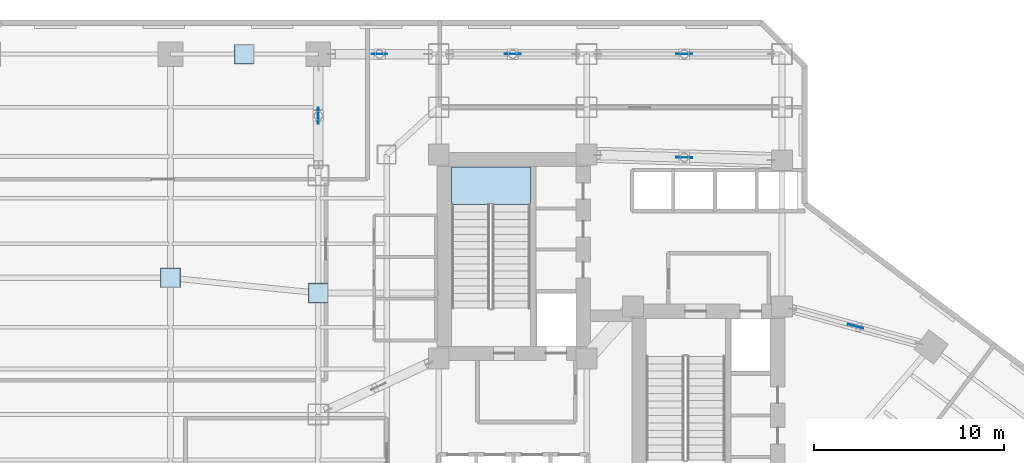
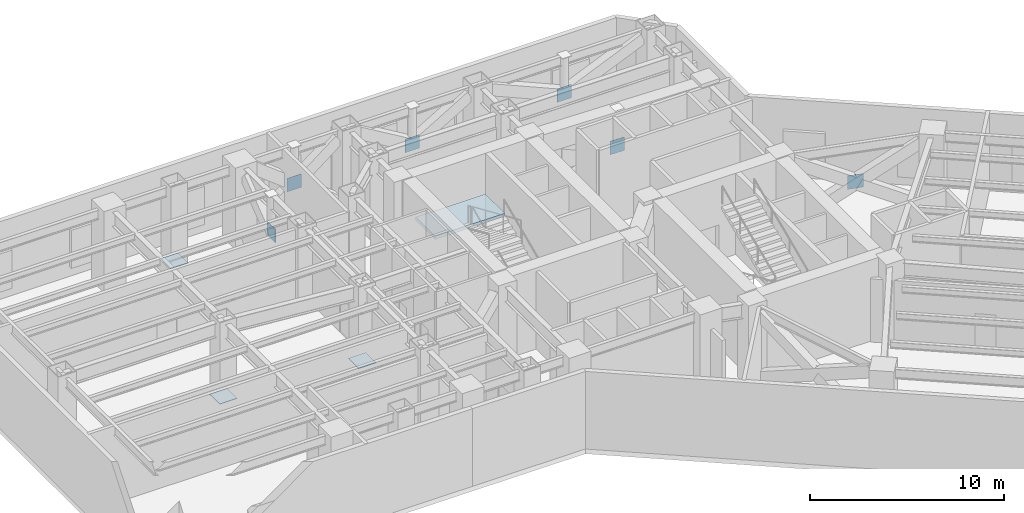
# One storey, part 6 of 16: 9 plates, 1 slab, 1 element without a shape of its own.
"""IFC4 building model written with IfcOpenShell, lengths in metres."""

from ifc_helpers import new_model, si_unit, direction, frame, origin, origin_2d, place, context, subcontext, project, spatial, polyline, rectangle, outline, extrude, material, layer, layer_set, type_object, element, aggregate, save


model = new_model("IFC4")

# Units and contexts
model_context = context("Model", 3, precision=1e-05, world=origin(), true_north=direction((0.0, 1.0)))
body_context = subcontext(model_context, "Body", "Model", "MODEL_VIEW")
ifc_project = project(units=[si_unit("LENGTHUNIT", "METRE"), si_unit("AREAUNIT", "SQUARE_METRE"), si_unit("VOLUMEUNIT", "CUBIC_METRE"), si_unit("PLANEANGLEUNIT", "RADIAN"), si_unit("MASSUNIT", "GRAM", prefix="KILO")], contexts=[model_context])

# Site, building, storey
site_placement = place(None, origin())
site = spatial("IfcSite", under=ifc_project, at=site_placement, CompositionType="ELEMENT")
building_placement = place(site_placement, origin())
building = spatial("IfcBuilding", under=site, at=building_placement, Name="Hatsunagi Terrace Concourse", CompositionType="ELEMENT")
storey_placement = place(building_placement, frame((0.0, 0.0, 27.0)))
storey = spatial("IfcBuildingStorey", under=building, at=storey_placement, Name="L06", CompositionType="ELEMENT", Elevation=27.0)

# Plates
ifc_material_1 = material(Name="Steel SN490C", Category="steel")
ifc_layer_1 = layer(ifc_material_1, 0.031982421875)
ifc_layer_set_1 = layer_set([ifc_layer_1], Name="ColumnEndCapPlate_32")
plate_type_1 = type_object("IfcPlateType", Name="ColumnEndCapPlate_32", PredefinedType="USERDEFINED", material=ifc_layer_set_1)
for number, where, z_axis, x_axis, name in (
    (1, (11.39990234375, 36.800048828125, 0.0), (0.0, 0.0, 1.0), (1.0, 0.0, 0.0), "Hollow Column Base Cap Plate GP-03 L06-WT1"),
    (2, (19.199951171875, 36.0, 0.0), (0.0, 0.0, 1.0), (1.0, 0.0, 0.0), "Hollow Column Base Cap Plate GP-03 L06-WT2"),
    (3, (15.300048828125, 48.60009765625, 0.0), (0.0, 0.0, 1.0), (1.0, 0.0, 0.0), "Hollow Column Base Cap Plate GP-03 L06-WT4"),
):
    element("IfcPlate", number, at=place(storey_placement, frame(where, z_axis=z_axis, x_axis=x_axis)), inside=storey, type_object=plate_type_1, Name=name, ObjectType="GUSSET_PLATE", PredefinedType="USERDEFINED", context=body_context, shape_type="SweptSolid", body=[
        extrude(rectangle(XDim=1.0400390625, YDim=1.0400390625, at=origin_2d()), origin(), (0.0, 0.0, 1.0), 0.031982421875),
    ])

# Stair, slab
ifc_material_2 = material(Name="Concrete Fc42", Category="concrete")
stair_type = type_object("IfcStairType", Name="DoglegExitStair_Tower2000_30R_170", PredefinedType="HALF_TURN_STAIR", material=ifc_material_2)
stair_placement = place(storey_placement, origin())
stair = element("IfcStair", 4, at=stair_placement, inside=storey, type_object=stair_type, Name="L06 Core A Protected Exit Stair ST-A", PredefinedType="HALF_TURN_STAIR")
ifc_material_3 = material(Name="Concrete Fc42", Category="concrete")
ifc_layer_2 = layer(ifc_material_3, 0.199951171875)
ifc_layer_set_2 = layer_set([ifc_layer_2], Name="DoglegStairLanding_Tower2000")
slab_type = type_object("IfcSlabType", Name="DoglegStairLanding_Tower2000", PredefinedType="LANDING", material=ifc_layer_set_2)
slab_placement = place(storey_placement, frame((0.0, 0.0, 2.35009765625)))
slab = element("IfcSlab", 5, at=slab_placement, type_object=slab_type, Name="ST-A landing 1", PredefinedType="LANDING", context=body_context, shape_type="SweptSolid", body=[
    extrude(outline(polyline([(30.3798828125, 40.659912109375), (30.3798828125, 42.659912109375), (26.22998046875, 42.659912109375), (26.22998046875, 40.659912109375), (30.3798828125, 40.659912109375)])), origin(), (0.0, 0.0, 1.0), 0.199951171875),
])
aggregate(stair, [slab])

# Plates
ifc_material_4 = material(Name="Steel SN490C", Category="steel")
ifc_layer_3 = layer(ifc_material_4, 0.035888671875)
ifc_layer_set_3 = layer_set([ifc_layer_3], Name="OutriggerGussetPlate_36")
plate_type_2 = type_object("IfcPlateType", Name="OutriggerGussetPlate_36", PredefinedType="USERDEFINED", material=ifc_layer_set_3)
for number, where, z_axis, x_axis, name in (
    (6, (19.199951171875, 45.35009765625, 2.02001953125), (0.0, 0.0, 1.0), (0.0, 1.0, 0.0), "Crossing Gusset Node Plate GP-01 OUT-L06-2"),
    (7, (22.425048828125, 48.60009765625, 2.02001953125), (0.0, 0.0, 1.0), (1.0, 0.0, 0.0), "Crossing Gusset Node Plate GP-01 OUT-L06-3"),
    (8, (29.449951171875, 48.60009765625, 2.02001953125), (0.0, 0.0, 1.0), (1.0, 0.0, 0.0), "Crossing Gusset Node Plate GP-01 OUT-L06-4"),
    (9, (47.537109375, 34.242919921875, 2.02001953125), (0.0, 0.0, 1.0), (0.964961560534, -0.262391285471, 0.0), "Crossing Gusset Node Plate GP-01 OUT-L06-6"),
    (10, (38.5, 43.14990234375, 2.02001953125), (0.0, 0.0, 1.0), (0.999576120557, -0.029113213716, 0.0), "Crossing Gusset Node Plate GP-01 OUT-L06-7"),
    (11, (38.5, 48.60009765625, 2.02001953125), (0.0, 0.0, 1.0), (1.0, 0.0, 0.0), "Crossing Gusset Node Plate GP-01 OUT-L06-8"),
):
    element("IfcPlate", number, at=place(storey_placement, frame(where, z_axis=z_axis, x_axis=x_axis)), inside=storey, type_object=plate_type_2, Name=name, ObjectType="GUSSET_PLATE", PredefinedType="USERDEFINED", context=body_context, shape_type="SweptSolid", body=[
        extrude(rectangle(XDim=0.840087890625, YDim=0.035888671875, at=origin_2d()), origin(), (0.0, 0.0, 1.0), 0.840087890625),
    ])

save(model, "model.ifc")
